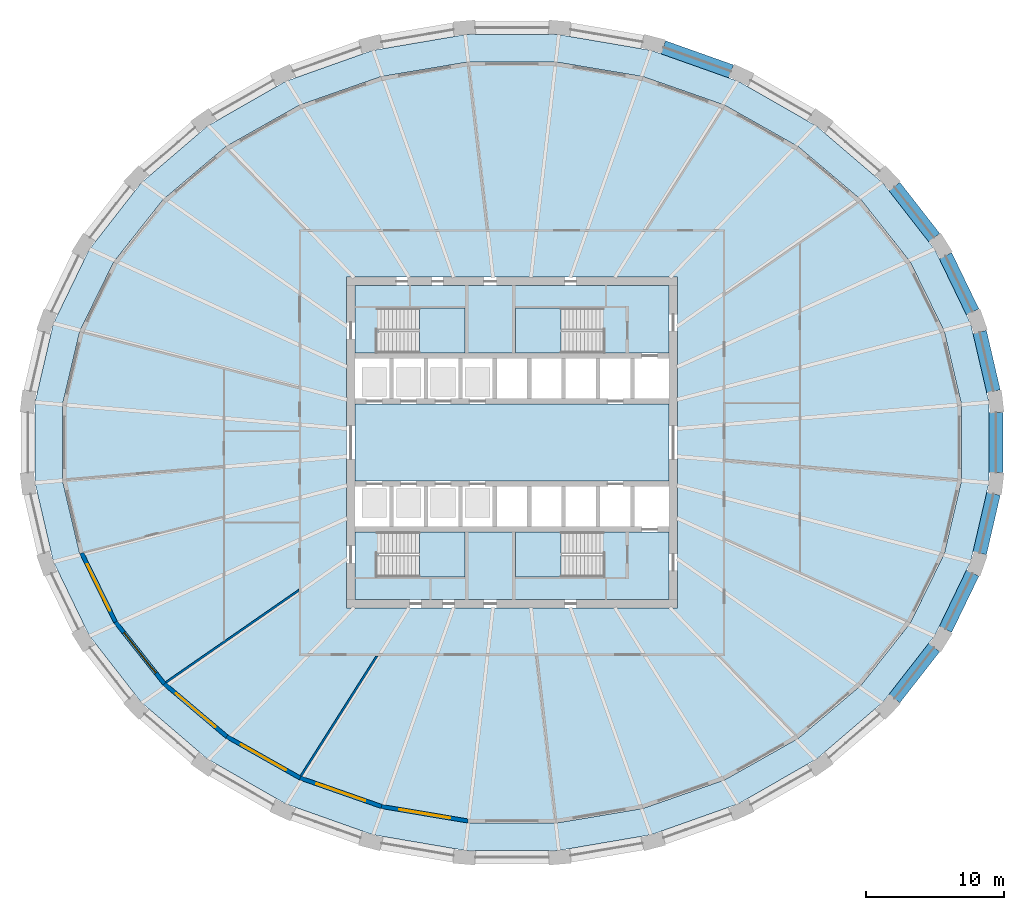
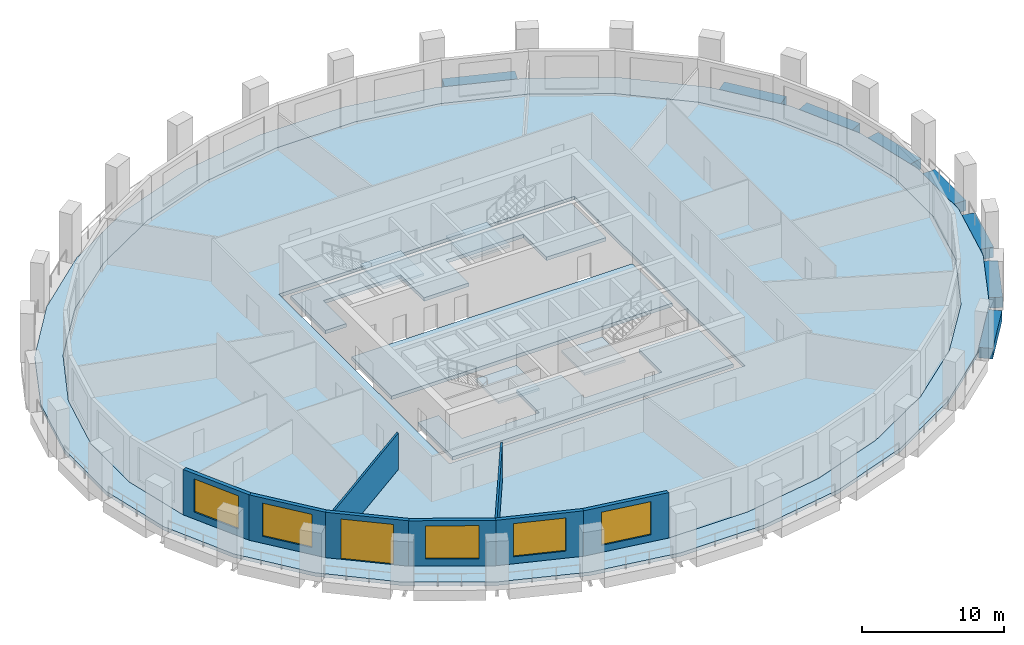
# One storey, part 2 of 10: 9 slabs, 8 beams, 8 walls, 5 windows, 1 door, 6 openings, 4 elements without a shape of their own.
"""IFC4 building model written with IfcOpenShell, lengths in metres."""

from ifc_helpers import new_model, si_unit, direction, frame, frame_2d, origin, origin_2d, place, context, subcontext, project, spatial, polyline, rectangle, outline, extrude, material, layer, layer_set, material_profile, profile_set, type_object, element, fill, aggregate, save


model = new_model("IFC4")

# Units and contexts
model_context = context("Model", 3, precision=1e-05, world=origin(), true_north=direction((0.0, 1.0)))
body_context = subcontext(model_context, "Body", "Model", "MODEL_VIEW")
ifc_project = project(units=[si_unit("LENGTHUNIT", "METRE"), si_unit("AREAUNIT", "SQUARE_METRE"), si_unit("VOLUMEUNIT", "CUBIC_METRE"), si_unit("PLANEANGLEUNIT", "RADIAN"), si_unit("MASSUNIT", "GRAM", prefix="KILO")], contexts=[model_context])

# Site, building, storey
site_placement = place(None, origin())
site = spatial("IfcSite", under=ifc_project, at=site_placement, CompositionType="ELEMENT")
building_placement = place(site_placement, origin())
building = spatial("IfcBuilding", under=site, at=building_placement, Name="Halqa Exchange Tower", CompositionType="ELEMENT")
storey_placement = place(building_placement, frame((0.0, 0.0, 104.5)))
storey = spatial("IfcBuildingStorey", under=building, at=storey_placement, Name="L23", CompositionType="ELEMENT", Elevation=104.5)

# Beams
ifc_material_1 = material(Name="Concrete C60/75", Category="concrete")
ifc_material_profile = material_profile(ifc_material_1, rectangle(XDim=1.0, YDim=0.89990234375, at=origin_2d()), Name="1000 x 900")
ifc_profile_set = profile_set([ifc_material_profile], Name="Concrete C60/75")
beam_type = type_object("IfcBeamType", Name="RC spandrel beam 1000 x 900 C60/75", PredefinedType="SPANDREL", material=ifc_profile_set)
beam_1_placement = place(storey_placement, frame((34.94384765625, 3.7216796875, -0.449951171875), z_axis=(-0.226062276551, 0.974112851327, 0.0), x_axis=(-0.974112851327, -0.226062276551, 0.0)))
element("IfcBeam", 1, at=beam_1_placement, inside=storey, type_object=beam_type, Name="Spandrel 1", PredefinedType="SPANDREL", context=body_context, shape_type="SweptSolid", body=[
    extrude(rectangle(XDim=1.0, YDim=0.89990234375, at=origin_2d()), origin(), (0.0, 0.0, 1.0), 4.4169921875),
])
beam_2_placement = place(storey_placement, frame((33.431640625, 9.480712890625, -0.449951171875), z_axis=(-0.435101676996, 0.900381325148, 0.0), x_axis=(-0.900381325148, -0.435101676996, 0.0)))
element("IfcBeam", 2, at=beam_2_placement, inside=storey, type_object=beam_type, Name="Spandrel 2", PredefinedType="SPANDREL", context=body_context, shape_type="SweptSolid", body=[
    extrude(rectangle(XDim=1.0, YDim=0.89990234375, at=origin_2d()), origin(), (0.0, 0.0, 1.0), 4.530517578125),
])
beam_3_placement = place(storey_placement, frame((30.64599609375, 14.870361328125, -0.449951171875), z_axis=(-0.614814102192, 0.788672060965, 0.0), x_axis=(-0.788672060965, -0.614814102192, 0.0)))
element("IfcBeam", 3, at=beam_3_placement, inside=storey, type_object=beam_type, Name="Spandrel 3", PredefinedType="SPANDREL", context=body_context, shape_type="SweptSolid", body=[
    extrude(rectangle(XDim=1.0, YDim=0.89990234375, at=origin_2d()), origin(), (0.0, 0.0, 1.0), 4.699951171875),
])
beam_4_placement = place(storey_placement, frame((15.905517578125, 26.935546875, -0.449951171875), z_axis=(-0.94236843099, 0.334576957177, 0.0), x_axis=(-0.334576957177, -0.94236843099, 0.0)))
element("IfcBeam", 4, at=beam_4_placement, inside=storey, type_object=beam_type, Name="Spandrel 6", PredefinedType="SPANDREL", context=body_context, shape_type="SweptSolid", body=[
    extrude(rectangle(XDim=1.0, YDim=0.89990234375, at=origin_2d()), origin(), (0.0, 0.0, 1.0), 5.23193359375),
])
beam_5_placement = place(storey_placement, frame((27.75634765625, -18.5771484375, -0.449951171875), z_axis=(0.614814102192, 0.788672060965, 0.0), x_axis=(-0.788672060965, 0.614814102192, 0.0)))
element("IfcBeam", 5, at=beam_5_placement, inside=storey, type_object=beam_type, Name="Spandrel 29", PredefinedType="SPANDREL", context=body_context, shape_type="SweptSolid", body=[
    extrude(rectangle(XDim=1.0, YDim=0.89990234375, at=origin_2d()), origin(), (0.0, 0.0, 1.0), 4.699951171875),
])
beam_6_placement = place(storey_placement, frame((31.46044921875, -13.559814453125, -0.449951171875), z_axis=(0.435101676996, 0.900381325148, 0.0), x_axis=(-0.900381325148, 0.435101676996, 0.0)))
element("IfcBeam", 6, at=beam_6_placement, inside=storey, type_object=beam_type, Name="Spandrel 30", PredefinedType="SPANDREL", context=body_context, shape_type="SweptSolid", body=[
    extrude(rectangle(XDim=1.0, YDim=0.89990234375, at=origin_2d()), origin(), (0.0, 0.0, 1.0), 4.530517578125),
])
beam_7_placement = place(storey_placement, frame((33.9453125, -8.0244140625, -0.449951171875), z_axis=(0.226062276551, 0.974112851327, 0.0), x_axis=(-0.974112851327, 0.226062276551, 0.0)))
element("IfcBeam", 7, at=beam_7_placement, inside=storey, type_object=beam_type, Name="Spandrel 31", PredefinedType="SPANDREL", context=body_context, shape_type="SweptSolid", body=[
    extrude(rectangle(XDim=1.0, YDim=0.89990234375, at=origin_2d()), origin(), (0.0, 0.0, 1.0), 4.4169921875),
])
beam_8_placement = place(storey_placement, frame((35.11962890625, -2.1875, -0.449951171875), z_axis=(0.0, 1.0, 0.0), x_axis=(-1.0, 0.0, 0.0)))
element("IfcBeam", 8, at=beam_8_placement, inside=storey, type_object=beam_type, Name="Spandrel 32", PredefinedType="SPANDREL", context=body_context, shape_type="SweptSolid", body=[
    extrude(rectangle(XDim=1.0, YDim=0.89990234375, at=origin_2d()), origin(), (0.0, 0.0, 1.0), 4.375),
])

# Slabs
ifc_layer_1 = layer(ifc_material_1, 0.300048828125)
ifc_layer_set_1 = layer_set([ifc_layer_1], Name="Concrete C60/75")
slab_type_1 = type_object("IfcSlabType", Name="Core floor slab 300", PredefinedType="FLOOR", material=ifc_layer_set_1)
slab_1_placement = place(storey_placement, frame((0.0, 0.0, -0.300048828125)))
element("IfcSlab", 9, at=slab_1_placement, inside=storey, type_object=slab_type_1, Name="Core floor slab", PredefinedType="FLOOR", context=body_context, shape_type="SweptSolid", body=[
    extrude(outline(polyline([(-11.39990234375, 2.800048828125), (11.39990234375, 2.800048828125), (11.39990234375, -2.800048828125), (-11.39990234375, -2.800048828125), (-11.39990234375, 2.800048828125)])), origin(), (0.0, 0.0, 1.0), 0.300048828125),
])
slab_2_placement = place(storey_placement, frame((0.0, 0.0, -0.300048828125)))
element("IfcSlab", 10, at=slab_2_placement, inside=storey, type_object=slab_type_1, Name="Core floor slab", PredefinedType="FLOOR", context=body_context, shape_type="SweptSolid", body=[
    extrude(outline(polyline([(-11.39990234375, 11.39990234375), (11.39990234375, 11.39990234375), (11.39990234375, 6.5), (6.550048828125, 6.5), (6.550048828125, 9.75), (0.25, 9.75), (0.25, 6.5), (-3.39990234375, 6.5), (-3.39990234375, 9.75), (-9.699951171875, 9.75), (-9.699951171875, 6.5), (-11.39990234375, 6.5), (-11.39990234375, 11.39990234375)])), origin(), (0.0, 0.0, 1.0), 0.300048828125),
])
slab_3_placement = place(storey_placement, frame((0.0, 0.0, -0.300048828125)))
element("IfcSlab", 11, at=slab_3_placement, inside=storey, type_object=slab_type_1, Name="Core floor slab", PredefinedType="FLOOR", context=body_context, shape_type="SweptSolid", body=[
    extrude(outline(polyline([(-9.699951171875, -9.75), (-3.39990234375, -9.75), (-3.39990234375, -6.5), (0.25, -6.5), (0.25, -9.75), (6.550048828125, -9.75), (6.550048828125, -6.5), (11.39990234375, -6.5), (11.39990234375, -11.39990234375), (-11.39990234375, -11.39990234375), (-11.39990234375, -6.5), (-9.699951171875, -6.5), (-9.699951171875, -9.75)])), origin(), (0.0, 0.0, 1.0), 0.300048828125),
])
ifc_material_2 = material(Name="Concrete C40/50", Category="concrete")
ifc_layer_2 = layer(ifc_material_2, 0.300048828125)
ifc_layer_set_2 = layer_set([ifc_layer_2], Name="Concrete C40/50")
slab_type_2 = type_object("IfcSlabType", Name="RC floor slab 300", PredefinedType="FLOOR", material=ifc_layer_set_2)
slab_4_placement = place(storey_placement, frame((0.0, 0.0, -0.300048828125)))
element("IfcSlab", 12, at=slab_4_placement, inside=storey, type_object=slab_type_2, Name="Floor slab", PredefinedType="FLOOR", context=body_context, shape_type="SweptSolid", body=[
    extrude(outline(polyline([(32.633056640625, 2.72509765625), (31.374755859375, 8.069580078125), (28.908447265625, 13.099853515625), (25.331298828125, 17.62255859375), (20.783203125, 21.465087890625), (15.439697265625, 24.4814453125), (9.506103515625, 26.557861328125), (3.20947265625, 27.615966796875), (-3.20947265625, 27.615966796875), (-9.506103515625, 26.557861328125), (-15.439697265625, 24.4814453125), (-20.783203125, 21.465087890625), (-25.331298828125, 17.62255859375), (-28.908447265625, 13.099853515625), (-31.374755859375, 8.069580078125), (-32.633056640625, 2.72509765625), (-32.633056640625, -2.72509765625), (-31.374755859375, -8.069580078125), (-28.908447265625, -13.099853515625), (-25.331298828125, -17.62255859375), (-20.783203125, -21.465087890625), (-15.439697265625, -24.4814453125), (-9.506103515625, -26.557861328125), (-3.20947265625, -27.615966796875), (3.20947265625, -27.615966796875), (9.506103515625, -26.557861328125), (15.439697265625, -24.4814453125), (20.783203125, -21.465087890625), (25.331298828125, -17.62255859375), (28.908447265625, -13.099853515625), (31.374755859375, -8.069580078125), (32.633056640625, -2.72509765625), (32.633056640625, 2.72509765625)]), holes=[polyline([(-12.0, -12.0), (12.0, -12.0), (12.0, 12.0), (-12.0, 12.0), (-12.0, -12.0)])]), origin(), (0.0, 0.0, 1.0), 0.300048828125),
])
ifc_layer_3 = layer(ifc_material_2, 0.300048828125)
ifc_layer_set_3 = layer_set([ifc_layer_3], Name="Concrete C40/50")
slab_type_3 = type_object("IfcSlabType", Name="RC loggia slab 300", PredefinedType="FLOOR", material=ifc_layer_set_3)
slab_5_placement = place(storey_placement, frame((0.0, 0.0, -0.300048828125)))
element("IfcSlab", 13, at=slab_5_placement, inside=storey, type_object=slab_type_3, Name="Loggia slab", PredefinedType="FLOOR", context=body_context, shape_type="SweptSolid", body=[
    extrude(outline(polyline([(34.61962890625, 2.907470703125), (34.61962890625, -2.907470703125), (33.29541015625, -8.61328125), (30.695556640625, -13.993408203125), (26.915771484375, -18.84228515625), (22.097900390625, -22.9716796875), (16.42578125, -26.22021484375), (10.117431640625, -28.4599609375), (3.416748046875, -29.602294921875), (-3.416748046875, -29.602294921875), (-10.117431640625, -28.4599609375), (-16.42578125, -26.22021484375), (-22.097900390625, -22.9716796875), (-26.915771484375, -18.84228515625), (-30.695556640625, -13.993408203125), (-33.29541015625, -8.61328125), (-34.61962890625, -2.907470703125), (-34.61962890625, 2.907470703125), (-33.29541015625, 8.61328125), (-30.695556640625, 13.993408203125), (-26.915771484375, 18.84228515625), (-22.097900390625, 22.9716796875), (-16.42578125, 26.22021484375), (-10.117431640625, 28.4599609375), (-3.416748046875, 29.602294921875), (3.416748046875, 29.602294921875), (10.117431640625, 28.4599609375), (16.42578125, 26.22021484375), (22.097900390625, 22.9716796875), (26.915771484375, 18.84228515625), (30.695556640625, 13.993408203125), (33.29541015625, 8.61328125), (34.61962890625, 2.907470703125)]), holes=[polyline([(32.633056640625, 2.72509765625), (31.374755859375, 8.069580078125), (28.908447265625, 13.099853515625), (25.331298828125, 17.62255859375), (20.783203125, 21.465087890625), (15.439697265625, 24.4814453125), (9.506103515625, 26.557861328125), (3.20947265625, 27.615966796875), (-3.20947265625, 27.615966796875), (-9.506103515625, 26.557861328125), (-15.439697265625, 24.4814453125), (-20.783203125, 21.465087890625), (-25.331298828125, 17.62255859375), (-28.908447265625, 13.099853515625), (-31.374755859375, 8.069580078125), (-32.633056640625, 2.72509765625), (-32.633056640625, -2.72509765625), (-31.374755859375, -8.069580078125), (-28.908447265625, -13.099853515625), (-25.331298828125, -17.62255859375), (-20.783203125, -21.465087890625), (-15.439697265625, -24.4814453125), (-9.506103515625, -26.557861328125), (-3.20947265625, -27.615966796875), (3.20947265625, -27.615966796875), (9.506103515625, -26.557861328125), (15.439697265625, -24.4814453125), (20.783203125, -21.465087890625), (25.331298828125, -17.62255859375), (28.908447265625, -13.099853515625), (31.374755859375, -8.069580078125), (32.633056640625, -2.72509765625), (32.633056640625, 2.72509765625)])]), origin(), (0.0, 0.0, 1.0), 0.300048828125),
])

# Stair, slab
ifc_material_3 = material(Name="Concrete C30/37", Category="concrete")
stair_type = type_object("IfcStairType", Name="Exit stair 1500 wide", PredefinedType="HALF_TURN_STAIR", material=ifc_material_3)
stair_1_placement = place(storey_placement, origin())
stair_1 = element("IfcStair", 14, at=stair_1_placement, inside=storey, type_object=stair_type, Name="Exit stair ST1", PredefinedType="HALF_TURN_STAIR")
ifc_layer_4 = layer(ifc_material_3, 0.199951171875)
ifc_layer_set_4 = layer_set([ifc_layer_4], Name="Concrete C30/37")
slab_type_4 = type_object("IfcSlabType", Name="Stair landing 200 slab", PredefinedType="LANDING", material=ifc_layer_set_4)
slab_6_placement = place(storey_placement, frame((0.0, 0.0, 1.89990234375)))
slab_6 = element("IfcSlab", 15, at=slab_6_placement, type_object=slab_type_4, Name="ST1 landing 1", PredefinedType="LANDING", context=body_context, shape_type="SweptSolid", body=[
    extrude(outline(polyline([(-6.719970703125, 6.5), (-3.39990234375, 6.5), (-3.39990234375, 9.75), (-6.719970703125, 9.75), (-6.719970703125, 6.5)])), origin(), (0.0, 0.0, 1.0), 0.2001953125),
])
aggregate(stair_1, [slab_6])

stair_2_placement = place(storey_placement, origin())
stair_2 = element("IfcStair", 16, at=stair_2_placement, inside=storey, type_object=stair_type, Name="Exit stair ST2", PredefinedType="HALF_TURN_STAIR")
slab_7_placement = place(storey_placement, frame((0.0, 0.0, 1.89990234375)))
slab_7 = element("IfcSlab", 17, at=slab_7_placement, type_object=slab_type_4, Name="ST2 landing 1", PredefinedType="LANDING", context=body_context, shape_type="SweptSolid", body=[
    extrude(outline(polyline([(0.25, 6.5), (3.570068359375, 6.5), (3.570068359375, 9.75), (0.25, 9.75), (0.25, 6.5)])), origin(), (0.0, 0.0, 1.0), 0.2001953125),
])
aggregate(stair_2, [slab_7])

stair_3_placement = place(storey_placement, origin())
stair_3 = element("IfcStair", 18, at=stair_3_placement, inside=storey, type_object=stair_type, Name="Exit stair ST3", PredefinedType="HALF_TURN_STAIR")
slab_8_placement = place(storey_placement, frame((0.0, 0.0, 1.89990234375)))
slab_8 = element("IfcSlab", 19, at=slab_8_placement, type_object=slab_type_4, Name="ST3 landing 1", PredefinedType="LANDING", context=body_context, shape_type="SweptSolid", body=[
    extrude(outline(polyline([(-6.719970703125, -9.75), (-3.39990234375, -9.75), (-3.39990234375, -6.5), (-6.719970703125, -6.5), (-6.719970703125, -9.75)])), origin(), (0.0, 0.0, 1.0), 0.2001953125),
])
aggregate(stair_3, [slab_8])

stair_4_placement = place(storey_placement, origin())
stair_4 = element("IfcStair", 20, at=stair_4_placement, inside=storey, type_object=stair_type, Name="Exit stair ST4", PredefinedType="HALF_TURN_STAIR")
slab_9_placement = place(storey_placement, frame((0.0, 0.0, 1.89990234375)))
slab_9 = element("IfcSlab", 21, at=slab_9_placement, type_object=slab_type_4, Name="ST4 landing 1", PredefinedType="LANDING", context=body_context, shape_type="SweptSolid", body=[
    extrude(outline(polyline([(0.25, -9.75), (3.570068359375, -9.75), (3.570068359375, -6.5), (0.25, -6.5), (0.25, -9.75)])), origin(), (0.0, 0.0, 1.0), 0.2001953125),
])
aggregate(stair_4, [slab_9])

# Walls
ifc_material_4 = material(Name="Fire-rated gypsum board")
ifc_layer_5 = layer(ifc_material_4, 0.14990234375)
ifc_layer_set_5 = layer_set([ifc_layer_5], Name="Fire-rated gypsum board")
wall_type_1 = type_object("IfcWallType", Name="Fire partition EI 60 150", PredefinedType="PARTITIONING", material=ifc_layer_set_5)
wall_1_placement = place(storey_placement, frame((-25.119873046875, -17.41357421875, 0.0), z_axis=(0.0, 0.0, 1.0), x_axis=(0.822008683907, 0.569474954306, 0.0)))
element("IfcWall", 22, at=wall_1_placement, inside=storey, type_object=wall_type_1, Name="L23-PWL-002", PredefinedType="PARTITIONING", context=body_context, shape_type="SweptSolid", body=[
    extrude(outline(polyline([(0.024169921875, -0.074951171875), (1.967041015625, -0.074951171875), (3.909912109375, -0.074951171875), (5.852783203125, -0.074951171875), (7.795654296875, -0.074951171875), (9.738525390625, -0.074951171875), (11.681396484375, -0.074951171875), (11.734375, 0.001708984375), (11.734375, 0.001708984375), (11.784912109375, 0.074462890625), (11.784912109375, 0.074951171875), (10.150390625, 0.074951171875), (8.515625, 0.074951171875), (6.881103515625, 0.074951171875), (5.246337890625, 0.074951171875), (5.24462890625, 0.072265625), (5.24072265625, 0.074951171875), (3.493896484375, 0.074951171875), (1.746826171875, 0.074951171875), (0.0, 0.074951171875), (0.0, 0.070068359375), (0.004638671875, -0.00244140625), (0.024169921875, -0.074951171875)])), origin(), (0.0, 0.0, 1.0), 3.1298828125),
])
wall_2_placement = place(storey_placement, frame((-9.76220703125, -15.43505859375, 0.0), z_axis=(0.0, 0.0, 1.0), x_axis=(-0.535189090909, -0.844732287161, 0.0)))
element("IfcWall", 23, at=wall_2_placement, inside=storey, type_object=wall_type_1, Name="L23-PWL-012", PredefinedType="PARTITIONING", context=body_context, shape_type="SweptSolid", body=[
    extrude(outline(polyline([(10.3857421875, -0.074951171875), (10.3857421875, -0.0693359375), (10.382080078125, 0.003662109375), (10.365478515625, 0.074951171875), (8.637939453125, 0.074951171875), (6.910400390625, 0.074951171875), (5.182861328125, 0.074951171875), (3.455078125, 0.074951171875), (1.7275390625, 0.074951171875), (0.0, 0.074951171875), (0.0, 0.07470703125), (0.0947265625, -0.074951171875), (1.809814453125, -0.074951171875), (3.525146484375, -0.074951171875), (5.240234375, -0.074951171875), (6.955322265625, -0.074951171875), (8.670654296875, -0.074951171875), (10.3857421875, -0.074951171875)])), origin(), (0.0, 0.0, 1.0), 3.14697265625),
])

# Wall, opening, window
ifc_material_5 = material(Name="Limestone cladding", Category="masonry")
ifc_layer_6 = layer(ifc_material_5, 0.0400390625)
ifc_material_6 = material(Name="Ventilated cavity")
ifc_layer_7 = layer(ifc_material_6, 0.030029296875, ventilated=True)
ifc_material_7 = material(Name="Mineral wool insulation")
ifc_layer_8 = layer(ifc_material_7, 0.10009765625)
ifc_layer_9 = layer(ifc_material_3, 0.10009765625)
ifc_material_8 = material(Name="Internal plaster")
ifc_layer_10 = layer(ifc_material_8, 0.030029296875)
ifc_layer_set_6 = layer_set([ifc_layer_6, ifc_layer_7, ifc_layer_8, ifc_layer_9, ifc_layer_10], Name="Stone-faced insulated wall 300")
wall_type_2 = type_object("IfcWallType", Name="Stone-faced insulated wall 300", PredefinedType="STANDARD", material=ifc_layer_set_6)
wall_3_placement = place(storey_placement, frame((-31.232666015625, -8.0185546875, 0.0), z_axis=(0.0, 0.0, 1.0), x_axis=(0.440238988749, -0.897880633929, 0.0)))
wall_3 = element("IfcWall", 24, at=wall_3_placement, inside=storey, type_object=wall_type_2, Name="Glass-line wall 18", PredefinedType="STANDARD", context=body_context, shape_type="SweptSolid", body=[
    extrude(outline(polyline([(-0.016845703125, -0.14990234375), (5.585693359375, -0.14990234375), (5.553466796875, 0.14990234375), (0.016845703125, 0.14990234375), (-0.016845703125, -0.14990234375)])), origin(), (0.0, 0.0, 1.0), 3.89990234375),
])
opening_1_placement = place(wall_3_placement, frame((0.90966796875, 0.0, 0.60009765625)))
opening_1 = element("IfcOpeningElement", 25, at=opening_1_placement, cuts=wall_3, Name="Opening W-F2-18", PredefinedType="OPENING", context=body_context, shape_type="SweptSolid", body=[
    extrude(rectangle(XDim=3.75, YDim=2.85009765625, at=frame_2d((1.875, 1.425048828125))), frame((0.0, 0.162109375, 0.0), z_axis=(0.0, -1.0, 0.0), x_axis=(1.0, 0.0, 0.0)), (0.0, 0.0, 1.0), 0.323974609375),
])
ifc_material_9 = material(Name="Clear low-emissivity glass in aluminium frame", Category="aluminium")
window_type = type_object("IfcWindowType", Name="Fixed clear glazed window 3750 x 2850", PartitioningType="TRIPLE_PANEL_VERTICAL", PredefinedType="WINDOW", material=ifc_material_9)
window_1_placement = place(opening_1_placement, origin())
window_1 = element("IfcWindow", 26, at=window_1_placement, inside=storey, type_object=window_type, Name="Window 2", OverallHeight=2.85009765625, OverallWidth=3.75, PartitioningType="TRIPLE_PANEL_VERTICAL", PredefinedType="WINDOW", context=body_context, shape_type="SweptSolid", body=[
    extrude(rectangle(XDim=3.75, YDim=2.85009765625, at=frame_2d((1.875, 1.425048828125))), frame((0.0, 0.030029296875, 0.0), z_axis=(0.0, -1.0, 0.0), x_axis=(1.0, 0.0, 0.0)), (0.0, 0.0, 1.0), 0.06005859375),
])
fill(opening_1, window_1)

wall_4_placement = place(storey_placement, frame((-28.78076171875, -13.019287109375, 0.0), z_axis=(0.0, 0.0, 1.0), x_axis=(0.620329992039, -0.784340934146, 0.0)))
wall_4 = element("IfcWall", 27, at=wall_4_placement, inside=storey, type_object=wall_type_2, Name="Glass-line wall 19", PredefinedType="STANDARD", context=body_context, shape_type="SweptSolid", body=[
    extrude(outline(polyline([(-0.01611328125, -0.14990234375), (5.75048828125, -0.14990234375), (5.72021484375, 0.14990234375), (0.01611328125, 0.14990234375), (-0.01611328125, -0.14990234375)])), origin(), (0.0, 0.0, 1.0), 3.89990234375),
])
opening_2_placement = place(wall_4_placement, frame((0.99267578125, 0.0, 0.60009765625)))
opening_2 = element("IfcOpeningElement", 28, at=opening_2_placement, cuts=wall_4, Name="Opening W-F2-19", PredefinedType="OPENING", context=body_context, shape_type="SweptSolid", body=[
    extrude(rectangle(XDim=3.75, YDim=2.85009765625, at=frame_2d((1.875, 1.425048828125))), frame((0.0, 0.162109375, 0.0), z_axis=(0.0, -1.0, 0.0), x_axis=(1.0, 0.0, 0.0)), (0.0, 0.0, 1.0), 0.323974609375),
])
window_2_placement = place(opening_2_placement, origin())
window_2 = element("IfcWindow", 29, at=window_2_placement, inside=storey, type_object=window_type, Name="Window 2", OverallHeight=2.85009765625, OverallWidth=3.75, PartitioningType="TRIPLE_PANEL_VERTICAL", PredefinedType="WINDOW", context=body_context, shape_type="SweptSolid", body=[
    extrude(rectangle(XDim=3.75, YDim=2.85009765625, at=frame_2d((1.875, 1.425048828125))), frame((0.0, 0.030029296875, 0.0), z_axis=(0.0, -1.0, 0.0), x_axis=(1.0, 0.0, 0.0)), (0.0, 0.0, 1.0), 0.06005859375),
])
fill(opening_2, window_2)

# Wall, opening, door
wall_5_placement = place(storey_placement, frame((-25.222900390625, -17.517822265625, 0.0), z_axis=(0.0, 0.0, 1.0), x_axis=(0.763894031266, -0.645341699409, 0.0)))
wall_5 = element("IfcWall", 30, at=wall_5_placement, inside=storey, type_object=wall_type_2, Name="Glass-line wall 20", PredefinedType="STANDARD", context=body_context, shape_type="SweptSolid", body=[
    extrude(outline(polyline([(-0.01513671875, -0.14990234375), (5.93896484375, -0.14990234375), (5.91064453125, 0.14990234375), (0.01513671875, 0.14990234375), (-0.01513671875, -0.14990234375)])), origin(), (0.0, 0.0, 1.0), 3.89990234375),
])
opening_3_placement = place(wall_5_placement, frame((1.08740234375, 0.0, 0.0)))
opening_3 = element("IfcOpeningElement", 31, at=opening_3_placement, cuts=wall_5, Name="Opening LG-F2-05", PredefinedType="OPENING", context=body_context, shape_type="SweptSolid", body=[
    extrude(rectangle(XDim=3.75, YDim=3.449951171875, at=frame_2d((1.875, 1.72509765625))), frame((0.0, 0.162109375, 0.0), z_axis=(0.0, -1.0, 0.0), x_axis=(1.0, 0.0, 0.0)), (0.0, 0.0, 1.0), 0.323974609375),
])
door_type = type_object("IfcDoorType", Name="Glazed sliding loggia door 3750 x 3450", OperationType="DOUBLE_DOOR_SLIDING", PredefinedType="DOOR", material=ifc_material_9)
door_placement = place(opening_3_placement, origin())
door = element("IfcDoor", 32, at=door_placement, inside=storey, type_object=door_type, Name="Loggia door 5", OperationType="DOUBLE_DOOR_SLIDING", OverallHeight=3.449951171875, OverallWidth=3.75, PredefinedType="DOOR", context=body_context, shape_type="SweptSolid", body=[
    extrude(rectangle(XDim=3.75, YDim=3.449951171875, at=frame_2d((1.875, 1.72509765625))), frame((0.0, 0.02490234375, 0.0), z_axis=(0.0, -1.0, 0.0), x_axis=(1.0, 0.0, 0.0)), (0.0, 0.0, 1.0), 0.050048828125),
])
fill(opening_3, door)

# Wall, opening, window
wall_6_placement = place(storey_placement, frame((-20.697021484375, -21.34130859375, 0.0), z_axis=(0.0, 0.0, 1.0), x_axis=(0.870828448417, -0.491587035455, 0.0)))
wall_6 = element("IfcWall", 33, at=wall_6_placement, inside=storey, type_object=wall_type_2, Name="Glass-line wall 21", PredefinedType="STANDARD", context=body_context, shape_type="SweptSolid", body=[
    extrude(outline(polyline([(-0.01416015625, -0.14990234375), (6.1220703125, -0.14990234375), (6.09521484375, 0.14990234375), (0.01416015625, 0.14990234375), (-0.01416015625, -0.14990234375)])), origin(), (0.0, 0.0, 1.0), 3.89990234375),
])
opening_4_placement = place(wall_6_placement, frame((1.17919921875, 0.0, 0.60009765625)))
opening_4 = element("IfcOpeningElement", 34, at=opening_4_placement, cuts=wall_6, Name="Opening W-F2-21", PredefinedType="OPENING", context=body_context, shape_type="SweptSolid", body=[
    extrude(rectangle(XDim=3.75, YDim=2.85009765625, at=frame_2d((1.875, 1.425048828125))), frame((0.0, 0.162109375, 0.0), z_axis=(0.0, -1.0, 0.0), x_axis=(1.0, 0.0, 0.0)), (0.0, 0.0, 1.0), 0.323974609375),
])
window_3_placement = place(opening_4_placement, origin())
window_3 = element("IfcWindow", 35, at=window_3_placement, inside=storey, type_object=window_type, Name="Window 2", OverallHeight=2.85009765625, OverallWidth=3.75, PartitioningType="TRIPLE_PANEL_VERTICAL", PredefinedType="WINDOW", context=body_context, shape_type="SweptSolid", body=[
    extrude(rectangle(XDim=3.75, YDim=2.85009765625, at=frame_2d((1.875, 1.425048828125))), frame((0.0, 0.030029296875, 0.0), z_axis=(0.0, -1.0, 0.0), x_axis=(1.0, 0.0, 0.0)), (0.0, 0.0, 1.0), 0.06005859375),
])
fill(opening_4, window_3)

wall_7_placement = place(storey_placement, frame((-15.37744140625, -24.34423828125, 0.0), z_axis=(0.0, 0.0, 1.0), x_axis=(0.943866868202, -0.330326104193, 0.0)))
wall_7 = element("IfcWall", 36, at=wall_7_placement, inside=storey, type_object=wall_type_2, Name="Glass-line wall 22", PredefinedType="STANDARD", context=body_context, shape_type="SweptSolid", body=[
    extrude(outline(polyline([(-0.013427734375, -0.14990234375), (6.272705078125, -0.14990234375), (6.247314453125, 0.14990234375), (0.013427734375, 0.14990234375), (-0.013427734375, -0.14990234375)])), origin(), (0.0, 0.0, 1.0), 3.89990234375),
])
opening_5_placement = place(wall_7_placement, frame((1.255126953125, 0.0, 0.60009765625)))
opening_5 = element("IfcOpeningElement", 37, at=opening_5_placement, cuts=wall_7, Name="Opening W-F2-22", PredefinedType="OPENING", context=body_context, shape_type="SweptSolid", body=[
    extrude(rectangle(XDim=3.75, YDim=2.85009765625, at=frame_2d((1.875, 1.425048828125))), frame((0.0, 0.162109375, 0.0), z_axis=(0.0, -1.0, 0.0), x_axis=(1.0, 0.0, 0.0)), (0.0, 0.0, 1.0), 0.323974609375),
])
window_4_placement = place(opening_5_placement, origin())
window_4 = element("IfcWindow", 38, at=window_4_placement, inside=storey, type_object=window_type, Name="Window 2", OverallHeight=2.85009765625, OverallWidth=3.75, PartitioningType="TRIPLE_PANEL_VERTICAL", PredefinedType="WINDOW", context=body_context, shape_type="SweptSolid", body=[
    extrude(rectangle(XDim=3.75, YDim=2.85009765625, at=frame_2d((1.875, 1.425048828125))), frame((0.0, 0.030029296875, 0.0), z_axis=(0.0, -1.0, 0.0), x_axis=(1.0, 0.0, 0.0)), (0.0, 0.0, 1.0), 0.06005859375),
])
fill(opening_5, window_4)

wall_8_placement = place(storey_placement, frame((-9.46875, -26.412109375, 0.0), z_axis=(0.0, 0.0, 1.0), x_axis=(0.986178310488, -0.165687476666, 0.0)))
wall_8 = element("IfcWall", 39, at=wall_8_placement, inside=storey, type_object=wall_type_2, Name="Glass-line wall 23", PredefinedType="STANDARD", context=body_context, shape_type="SweptSolid", body=[
    extrude(outline(polyline([(-0.0126953125, -0.14990234375), (6.3720703125, -0.14990234375), (6.34716796875, 0.14990234375), (0.0126953125, 0.14990234375), (-0.0126953125, -0.14990234375)])), origin(), (0.0, 0.0, 1.0), 3.89990234375),
])
opening_6_placement = place(wall_8_placement, frame((1.3046875, 0.0, 0.60009765625)))
opening_6 = element("IfcOpeningElement", 40, at=opening_6_placement, cuts=wall_8, Name="Opening W-F2-23", PredefinedType="OPENING", context=body_context, shape_type="SweptSolid", body=[
    extrude(rectangle(XDim=3.75, YDim=2.85009765625, at=frame_2d((1.875, 1.425048828125))), frame((0.0, 0.162109375, 0.0), z_axis=(0.0, -1.0, 0.0), x_axis=(1.0, 0.0, 0.0)), (0.0, 0.0, 1.0), 0.323974609375),
])
window_5_placement = place(opening_6_placement, origin())
window_5 = element("IfcWindow", 41, at=window_5_placement, inside=storey, type_object=window_type, Name="Window 2", OverallHeight=2.85009765625, OverallWidth=3.75, PartitioningType="TRIPLE_PANEL_VERTICAL", PredefinedType="WINDOW", context=body_context, shape_type="SweptSolid", body=[
    extrude(rectangle(XDim=3.75, YDim=2.85009765625, at=frame_2d((1.875, 1.425048828125))), frame((0.0, 0.030029296875, 0.0), z_axis=(0.0, -1.0, 0.0), x_axis=(1.0, 0.0, 0.0)), (0.0, 0.0, 1.0), 0.06005859375),
])
fill(opening_6, window_5)

save(model, "model.ifc")
